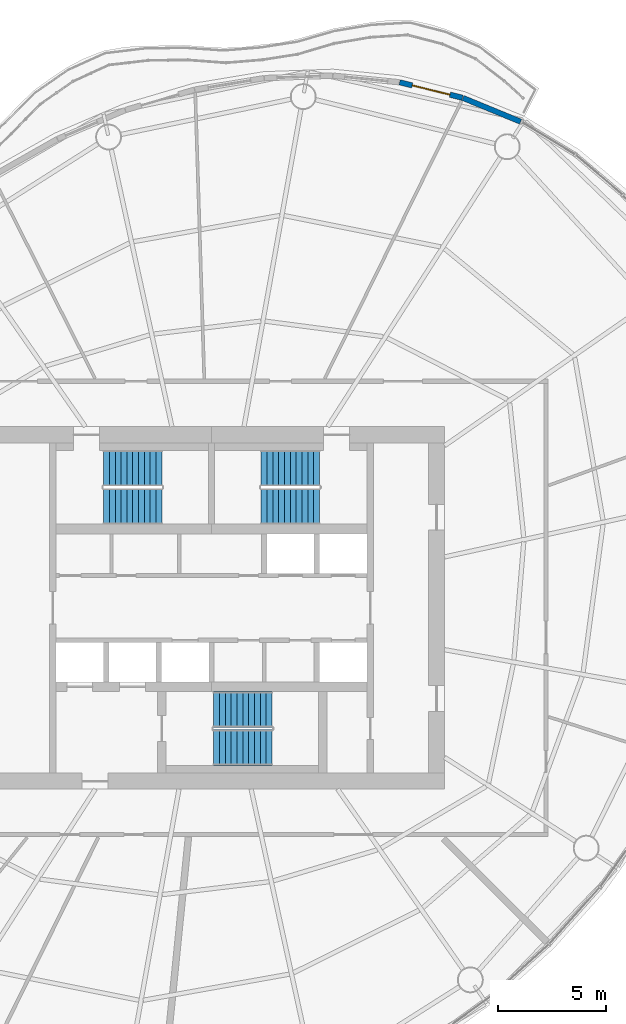
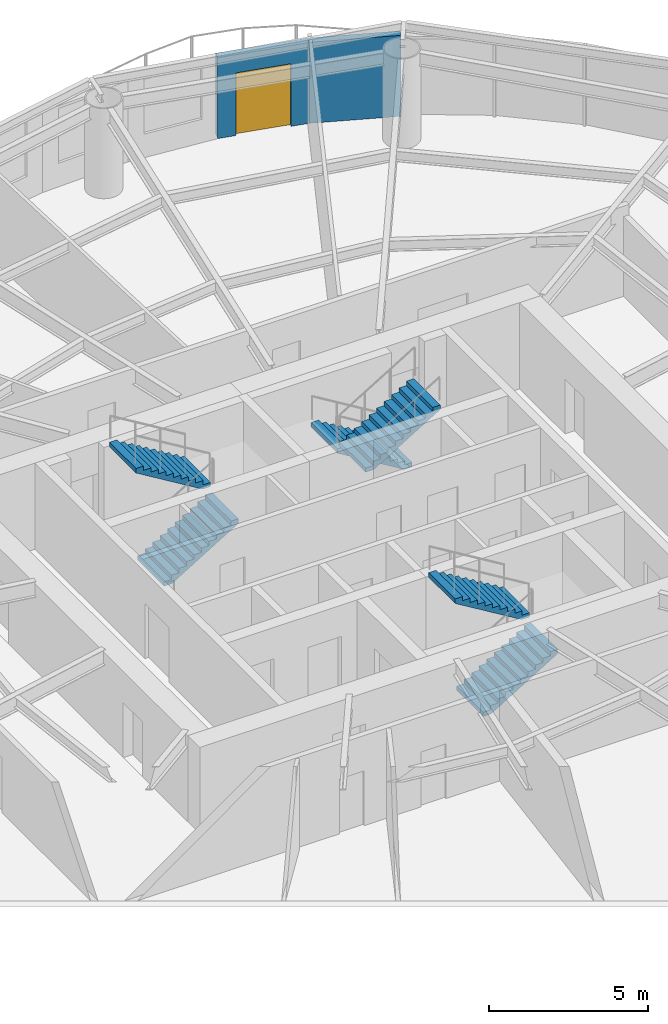
# One storey, part 11 of 14: 6 stair flights, 2 walls, 1 door, 1 opening, 3 elements without a shape of their own.
"""IFC4 building model written with IfcOpenShell, lengths in metres."""

from ifc_helpers import new_model, si_unit, direction, frame, frame_2d, origin, place, context, subcontext, project, spatial, polyline, rectangle, outline, extrude, material, layer, layer_set, type_object, element, fill, aggregate, save


model = new_model("IFC4")

# Units and contexts
model_context = context("Model", 3, precision=1e-05, world=origin(), true_north=direction((0.0, 1.0)))
body_context = subcontext(model_context, "Body", "Model", "MODEL_VIEW")
ifc_project = project(units=[si_unit("LENGTHUNIT", "METRE"), si_unit("AREAUNIT", "SQUARE_METRE"), si_unit("VOLUMEUNIT", "CUBIC_METRE"), si_unit("PLANEANGLEUNIT", "RADIAN"), si_unit("MASSUNIT", "GRAM", prefix="KILO")], contexts=[model_context])

# Site, building, storey
site_placement = place(None, origin())
site = spatial("IfcSite", under=ifc_project, at=site_placement, CompositionType="ELEMENT")
building_placement = place(site_placement, origin())
building = spatial("IfcBuilding", under=site, at=building_placement, Name="Vermilion Reach Broadcast Tower", CompositionType="ELEMENT")
storey_placement = place(building_placement, frame((0.0, 0.0, 213.699951171875)))
storey = spatial("IfcBuildingStorey", under=building, at=storey_placement, Name="L52", CompositionType="ELEMENT", Elevation=213.699951171875)

# Wall
ifc_material_1 = material(Name="Terracotta rainscreen cladding", Category="masonry")
ifc_layer = layer(ifc_material_1, 0.25)
ifc_layer_set = layer_set([ifc_layer], Name="Terracotta rainscreen wall 250")
wall_type = type_object("IfcWallType", Name="Terracotta rainscreen wall 250", PredefinedType="SOLIDWALL", material=ifc_layer_set)
wall_1_placement = place(storey_placement, frame((8.322509765625, 22.5302734375, 0.0), z_axis=(0.0, 0.0, 1.0), x_axis=(-0.924690360412, 0.380720024901, 0.0)))
element("IfcWall", 1, at=wall_1_placement, inside=storey, type_object=wall_type, Name="External wall L52 02", PredefinedType="SOLIDWALL", context=body_context, shape_type="SweptSolid", body=[
    extrude(rectangle(XDim=2.88623046875, YDim=0.25, at=frame_2d((1.443115234375, 0.0))), origin(), (0.0, 0.0, 1.0), 3.10009765625),
])

# Wall, opening, door
wall_2_placement = place(storey_placement, frame((5.62841796875, 23.637451171875, 0.0), z_axis=(0.0, 0.0, 1.0), x_axis=(-0.9709618668, 0.239234306113, 0.0)))
wall_2 = element("IfcWall", 2, at=wall_2_placement, inside=storey, type_object=wall_type, Name="External wall L52 03", PredefinedType="SOLIDWALL", context=body_context, shape_type="SweptSolid", body=[
    extrude(rectangle(XDim=2.994140625, YDim=0.25, at=frame_2d((1.4970703125, 0.0))), origin(), (0.0, 0.0, 1.0), 3.10009765625),
])
opening_placement = place(wall_2_placement, frame((0.596923828125, 0.0, 0.0)))
opening = element("IfcOpeningElement", 3, at=opening_placement, cuts=wall_2, Name="Opening D70", PredefinedType="OPENING", context=body_context, shape_type="SweptSolid", body=[
    extrude(rectangle(XDim=1.800048828125, YDim=2.39990234375, at=frame_2d((0.89990234375, 1.199951171875))), frame((0.0, 0.135009765625, 0.0), z_axis=(0.0, -1.0, 0.0), x_axis=(1.0, 0.0, 0.0)), (0.0, 0.0, 1.0), 0.27001953125),
])
ifc_material_2 = material(Name="Low-e laminated clear glass in aluminium frame", Category="aluminium")
door_type = type_object("IfcDoorType", Name="Balcony sliding door 1800 x 2400", OperationType="DOUBLE_DOOR_SLIDING", PredefinedType="DOOR", material=ifc_material_2)
door_placement = place(opening_placement, origin())
door = element("IfcDoor", 4, at=door_placement, inside=storey, type_object=door_type, Name="Balcony door L52 run 01", OperationType="DOUBLE_DOOR_SLIDING", OverallHeight=2.39990234375, OverallWidth=1.800048828125, PredefinedType="DOOR", context=body_context, shape_type="SweptSolid", body=[
    extrude(rectangle(XDim=1.800048828125, YDim=2.39990234375, at=frame_2d((0.89990234375, 1.199951171875))), frame((0.0, 0.02490234375, 0.0), z_axis=(0.0, -1.0, 0.0), x_axis=(1.0, 0.0, 0.0)), (0.0, 0.0, 1.0), 0.050048828125),
])
fill(opening, door)

# Stair, stair flights
ifc_material_3 = material(Name="Concrete C40", Category="concrete")
stair_type = type_object("IfcStairType", Name="Exit stair RC 22 risers 164 mm", PredefinedType="HALF_TURN_STAIR", material=ifc_material_3)
placement = place(storey_placement, origin())
stair_1 = element("IfcStair", 5, at=placement, inside=storey, type_object=stair_type, Name="L52 Exit stair ST1", PredefinedType="HALF_TURN_STAIR")
ifc_material_4 = material(Name="Concrete C40", Category="concrete")
stair_flight_type = type_object("IfcStairFlightType", Name="Exit stair flight RC 11 risers", PredefinedType="STRAIGHT", material=ifc_material_4)
stair_flight_1_placement = place(storey_placement, frame((-11.0, 4.7099609375, 0.0), z_axis=(0.0, 0.0, 1.0), x_axis=(1.0, 0.0, 0.0)))
stair_flight_1 = element("IfcStairFlight", 6, at=stair_flight_1_placement, type_object=stair_flight_type, Name="ST1 flight 1", NumberOfRisers=11, NumberOfTreads=10, PredefinedType="STRAIGHT", RiserHeight=0.163636364, TreadLength=0.27, context=body_context, shape_type="SweptSolid", body=[
    extrude(outline(polyline([(0.0, 0.0), (0.0, 0.16357421875), (0.27001953125, 0.16357421875), (0.27001953125, 0.327392578125), (0.5400390625, 0.327392578125), (0.5400390625, 0.490966796875), (0.81005859375, 0.490966796875), (0.81005859375, 0.654541015625), (1.080078125, 0.654541015625), (1.080078125, 0.818115234375), (1.35009765625, 0.818115234375), (1.35009765625, 0.98193359375), (1.6201171875, 0.98193359375), (1.6201171875, 1.1455078125), (1.889892578125, 1.1455078125), (1.889892578125, 1.30908203125), (2.159912109375, 1.30908203125), (2.159912109375, 1.47265625), (2.429931640625, 1.47265625), (2.429931640625, 1.636474609375), (2.699951171875, 1.636474609375), (2.699951171875, 1.800048828125), (2.699951171875, 1.461181640625), (0.289306640625, 0.0), (0.0, 0.0)])), frame((0.0, 0.830078125, 0.0), z_axis=(0.0, -1.0, 0.0), x_axis=(1.0, 0.0, 0.0)), (0.0, 0.0, 1.0), 1.659912109375),
])
stair_flight_2_placement = place(storey_placement, frame((-8.300048828125, 6.469970703125, 1.800048828125), z_axis=(0.0, 0.0, 1.0), x_axis=(-1.0, 0.0, 0.0)))
stair_flight_2 = element("IfcStairFlight", 7, at=stair_flight_2_placement, type_object=stair_flight_type, Name="ST1 flight 2", NumberOfRisers=11, NumberOfTreads=10, PredefinedType="STRAIGHT", RiserHeight=0.163636364, TreadLength=0.27, context=body_context, shape_type="SweptSolid", body=[
    extrude(outline(polyline([(0.0, 0.0), (0.0, 0.16357421875), (0.27001953125, 0.16357421875), (0.27001953125, 0.327392578125), (0.5400390625, 0.327392578125), (0.5400390625, 0.490966796875), (0.81005859375, 0.490966796875), (0.81005859375, 0.654541015625), (1.080078125, 0.654541015625), (1.080078125, 0.818115234375), (1.35009765625, 0.818115234375), (1.35009765625, 0.98193359375), (1.6201171875, 0.98193359375), (1.6201171875, 1.1455078125), (1.889892578125, 1.1455078125), (1.889892578125, 1.30908203125), (2.159912109375, 1.30908203125), (2.159912109375, 1.47265625), (2.429931640625, 1.47265625), (2.429931640625, 1.636474609375), (2.699951171875, 1.636474609375), (2.699951171875, 1.800048828125), (2.699951171875, 1.461181640625), (0.289306640625, 0.0), (0.0, 0.0)])), frame((0.0, 0.830078125, 0.0), z_axis=(0.0, -1.0, 0.0), x_axis=(1.0, 0.0, 0.0)), (0.0, 0.0, 1.0), 1.659912109375),
])
aggregate(stair_1, [stair_flight_1, stair_flight_2])

stair_2 = element("IfcStair", 8, at=placement, inside=storey, type_object=stair_type, Name="L52 Exit stair ST2", PredefinedType="HALF_TURN_STAIR")
stair_flight_3_placement = place(storey_placement, frame((-1.0, 6.469970703125, 0.0), z_axis=(0.0, 0.0, 1.0), x_axis=(-1.0, 0.0, 0.0)))
stair_flight_3 = element("IfcStairFlight", 9, at=stair_flight_3_placement, type_object=stair_flight_type, Name="ST2 flight 1", NumberOfRisers=11, NumberOfTreads=10, PredefinedType="STRAIGHT", RiserHeight=0.163636364, TreadLength=0.27, context=body_context, shape_type="SweptSolid", body=[
    extrude(outline(polyline([(0.0, 0.0), (0.0, 0.16357421875), (0.27001953125, 0.16357421875), (0.27001953125, 0.327392578125), (0.5400390625, 0.327392578125), (0.5400390625, 0.490966796875), (0.81005859375, 0.490966796875), (0.81005859375, 0.654541015625), (1.080078125, 0.654541015625), (1.080078125, 0.818115234375), (1.35009765625, 0.818115234375), (1.35009765625, 0.98193359375), (1.6201171875, 0.98193359375), (1.6201171875, 1.1455078125), (1.889892578125, 1.1455078125), (1.889892578125, 1.30908203125), (2.159912109375, 1.30908203125), (2.159912109375, 1.47265625), (2.429931640625, 1.47265625), (2.429931640625, 1.636474609375), (2.699951171875, 1.636474609375), (2.699951171875, 1.800048828125), (2.699951171875, 1.461181640625), (0.289306640625, 0.0), (0.0, 0.0)])), frame((0.0, 0.830078125, 0.0), z_axis=(0.0, -1.0, 0.0), x_axis=(1.0, 0.0, 0.0)), (0.0, 0.0, 1.0), 1.659912109375),
])
stair_flight_4_placement = place(storey_placement, frame((-3.699951171875, 4.7099609375, 1.800048828125), z_axis=(0.0, 0.0, 1.0), x_axis=(1.0, 0.0, 0.0)))
stair_flight_4 = element("IfcStairFlight", 10, at=stair_flight_4_placement, type_object=stair_flight_type, Name="ST2 flight 2", NumberOfRisers=11, NumberOfTreads=10, PredefinedType="STRAIGHT", RiserHeight=0.163636364, TreadLength=0.27, context=body_context, shape_type="SweptSolid", body=[
    extrude(outline(polyline([(0.0, 0.0), (0.0, 0.16357421875), (0.27001953125, 0.16357421875), (0.27001953125, 0.327392578125), (0.5400390625, 0.327392578125), (0.5400390625, 0.490966796875), (0.81005859375, 0.490966796875), (0.81005859375, 0.654541015625), (1.080078125, 0.654541015625), (1.080078125, 0.818115234375), (1.35009765625, 0.818115234375), (1.35009765625, 0.98193359375), (1.6201171875, 0.98193359375), (1.6201171875, 1.1455078125), (1.889892578125, 1.1455078125), (1.889892578125, 1.30908203125), (2.159912109375, 1.30908203125), (2.159912109375, 1.47265625), (2.429931640625, 1.47265625), (2.429931640625, 1.636474609375), (2.699951171875, 1.636474609375), (2.699951171875, 1.800048828125), (2.699951171875, 1.461181640625), (0.289306640625, 0.0), (0.0, 0.0)])), frame((0.0, 0.830078125, 0.0), z_axis=(0.0, -1.0, 0.0), x_axis=(1.0, 0.0, 0.0)), (0.0, 0.0, 1.0), 1.659912109375),
])
aggregate(stair_2, [stair_flight_3, stair_flight_4])

stair_3 = element("IfcStair", 11, at=placement, inside=storey, type_object=stair_type, Name="L52 Exit stair ST3", PredefinedType="HALF_TURN_STAIR")
stair_flight_5_placement = place(storey_placement, frame((-5.89990234375, -6.469970703125, 0.0), z_axis=(0.0, 0.0, 1.0), x_axis=(1.0, 0.0, 0.0)))
stair_flight_5 = element("IfcStairFlight", 12, at=stair_flight_5_placement, type_object=stair_flight_type, Name="ST3 flight 1", NumberOfRisers=11, NumberOfTreads=10, PredefinedType="STRAIGHT", RiserHeight=0.163636364, TreadLength=0.27, context=body_context, shape_type="SweptSolid", body=[
    extrude(outline(polyline([(0.0, 0.0), (0.0, 0.16357421875), (0.27001953125, 0.16357421875), (0.27001953125, 0.327392578125), (0.5400390625, 0.327392578125), (0.5400390625, 0.490966796875), (0.81005859375, 0.490966796875), (0.81005859375, 0.654541015625), (1.080078125, 0.654541015625), (1.080078125, 0.818115234375), (1.35009765625, 0.818115234375), (1.35009765625, 0.98193359375), (1.6201171875, 0.98193359375), (1.6201171875, 1.1455078125), (1.889892578125, 1.1455078125), (1.889892578125, 1.30908203125), (2.159912109375, 1.30908203125), (2.159912109375, 1.47265625), (2.429931640625, 1.47265625), (2.429931640625, 1.636474609375), (2.699951171875, 1.636474609375), (2.699951171875, 1.800048828125), (2.699951171875, 1.461181640625), (0.289306640625, 0.0), (0.0, 0.0)])), frame((0.0, 0.830078125, 0.0), z_axis=(0.0, -1.0, 0.0), x_axis=(1.0, 0.0, 0.0)), (0.0, 0.0, 1.0), 1.659912109375),
])
stair_flight_6_placement = place(storey_placement, frame((-3.199951171875, -4.7099609375, 1.800048828125), z_axis=(0.0, 0.0, 1.0), x_axis=(-1.0, 0.0, 0.0)))
stair_flight_6 = element("IfcStairFlight", 13, at=stair_flight_6_placement, type_object=stair_flight_type, Name="ST3 flight 2", NumberOfRisers=11, NumberOfTreads=10, PredefinedType="STRAIGHT", RiserHeight=0.163636364, TreadLength=0.27, context=body_context, shape_type="SweptSolid", body=[
    extrude(outline(polyline([(0.0, 0.0), (0.0, 0.16357421875), (0.27001953125, 0.16357421875), (0.27001953125, 0.327392578125), (0.5400390625, 0.327392578125), (0.5400390625, 0.490966796875), (0.81005859375, 0.490966796875), (0.81005859375, 0.654541015625), (1.080078125, 0.654541015625), (1.080078125, 0.818115234375), (1.35009765625, 0.818115234375), (1.35009765625, 0.98193359375), (1.6201171875, 0.98193359375), (1.6201171875, 1.1455078125), (1.889892578125, 1.1455078125), (1.889892578125, 1.30908203125), (2.159912109375, 1.30908203125), (2.159912109375, 1.47265625), (2.429931640625, 1.47265625), (2.429931640625, 1.636474609375), (2.699951171875, 1.636474609375), (2.699951171875, 1.800048828125), (2.699951171875, 1.461181640625), (0.289306640625, 0.0), (0.0, 0.0)])), frame((0.0, 0.830078125, 0.0), z_axis=(0.0, -1.0, 0.0), x_axis=(1.0, 0.0, 0.0)), (0.0, 0.0, 1.0), 1.659912109375),
])
aggregate(stair_3, [stair_flight_5, stair_flight_6])

save(model, "model.ifc")
